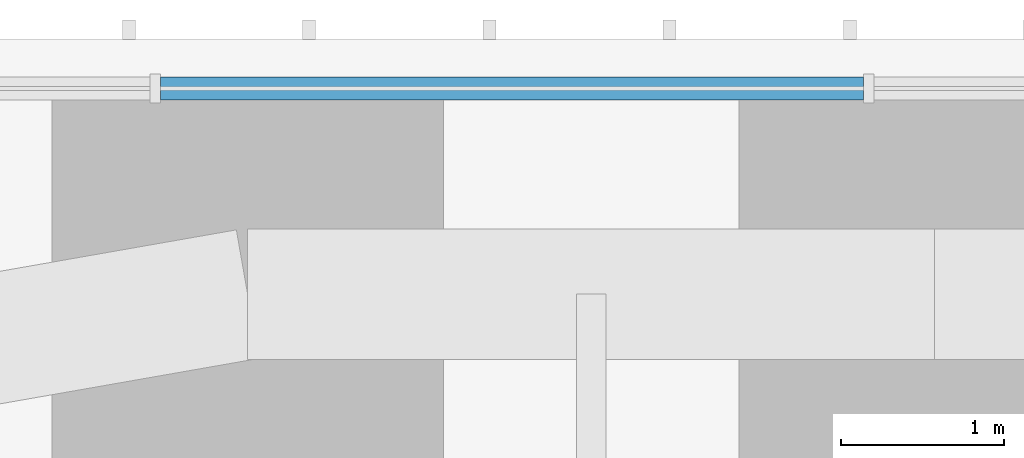
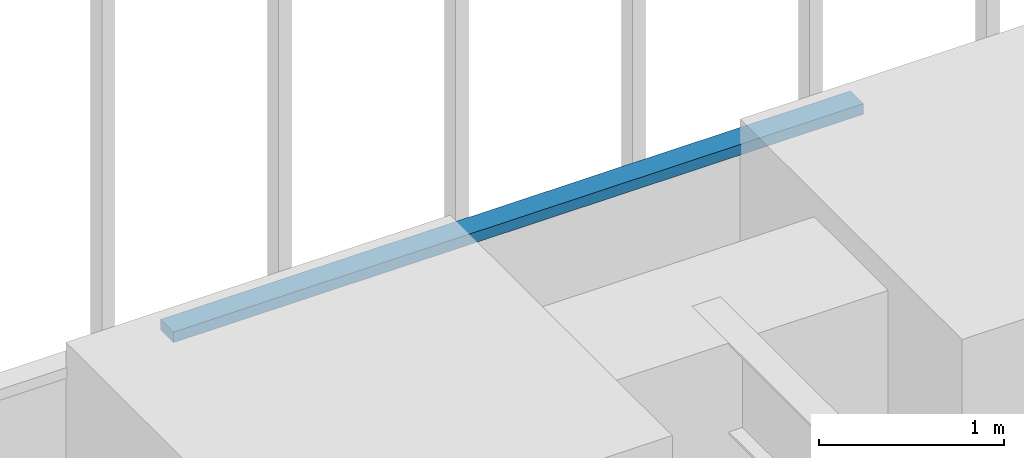
# One storey, part 170 of 256: 1 member, 1 element without a shape of its own.
"""IFC4 building model written with IfcOpenShell, lengths in metres."""

from ifc_helpers import new_model, si_unit, direction, frame, origin, origin_2d, place, context, subcontext, project, spatial, rectangle, extrude, material, material_profile, profile_set, type_object, element, aggregate, save


model = new_model("IFC4")

# Units and contexts
model_context = context("Model", 3, precision=1e-05, world=origin(), true_north=direction((0.0, 1.0)))
body_context = subcontext(model_context, "Body", "Model", "MODEL_VIEW")
ifc_project = project(units=[si_unit("LENGTHUNIT", "METRE"), si_unit("AREAUNIT", "SQUARE_METRE"), si_unit("VOLUMEUNIT", "CUBIC_METRE"), si_unit("PLANEANGLEUNIT", "RADIAN"), si_unit("MASSUNIT", "GRAM", prefix="KILO")], contexts=[model_context])

# Site, building, storey
site_placement = place(None, origin())
site = spatial("IfcSite", under=ifc_project, at=site_placement, CompositionType="ELEMENT")
building_placement = place(site_placement, origin())
building = spatial("IfcBuilding", under=site, at=building_placement, Name="Sandreach Pilgrim Tower", CompositionType="ELEMENT")
storey_placement = place(building_placement, frame((0.0, 0.0, 23.0)))
storey = spatial("IfcBuildingStorey", under=building, at=storey_placement, Name="L04", CompositionType="ELEMENT", Elevation=23.0)

# Curtain wall, member
ifc_material_1 = material(Name="Aluminium framed curtain wall", Category="aluminium")
curtain_wall_type = type_object("IfcCurtainWallType", Name="Hostel tower curtain wall", PredefinedType="NOTDEFINED", material=ifc_material_1)
curtain_wall_placement = place(storey_placement, origin())
curtain_wall = element("IfcCurtainWall", 1, at=curtain_wall_placement, inside=storey, type_object=curtain_wall_type, Name="CW-1 L04 N", PredefinedType="NOTDEFINED")
ifc_material_2 = material(Name="Aluminium extrusion", Category="aluminium")
ifc_material_profile = material_profile(ifc_material_2, rectangle(XDim=0.139892578125, YDim=0.070068359375, at=origin_2d()), Name="CW-1T 140X70")
ifc_profile_set = profile_set([ifc_material_profile], Name="Aluminium extrusion")
member_type = type_object("IfcMemberType", Name="CW-1 transom", PredefinedType="USERDEFINED", material=ifc_profile_set)
member_placement = place(storey_placement, frame((-15.26806640625, 23.94873046875, 3.60498046875), z_axis=(1.0, 0.0, 0.0), x_axis=(0.0, 1.0, 0.0)))
member = element("IfcMember", 2, at=member_placement, type_object=member_type, Name="CW-1 head transom 2", ObjectType="TRANSOM", PredefinedType="USERDEFINED", context=body_context, shape_type="SweptSolid", body=[
    extrude(rectangle(XDim=0.139892578125, YDim=0.070068359375, at=origin_2d()), origin(), (0.0, 0.0, 1.0), 4.306640625),
])
aggregate(curtain_wall, [member])

save(model, "model.ifc")
